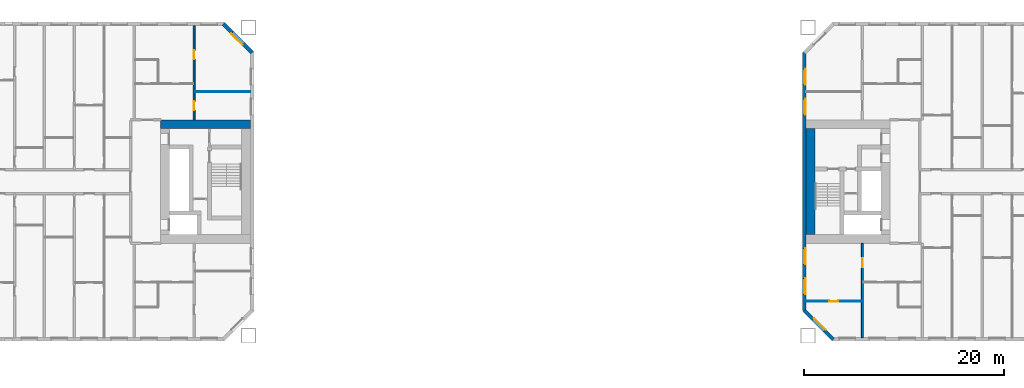
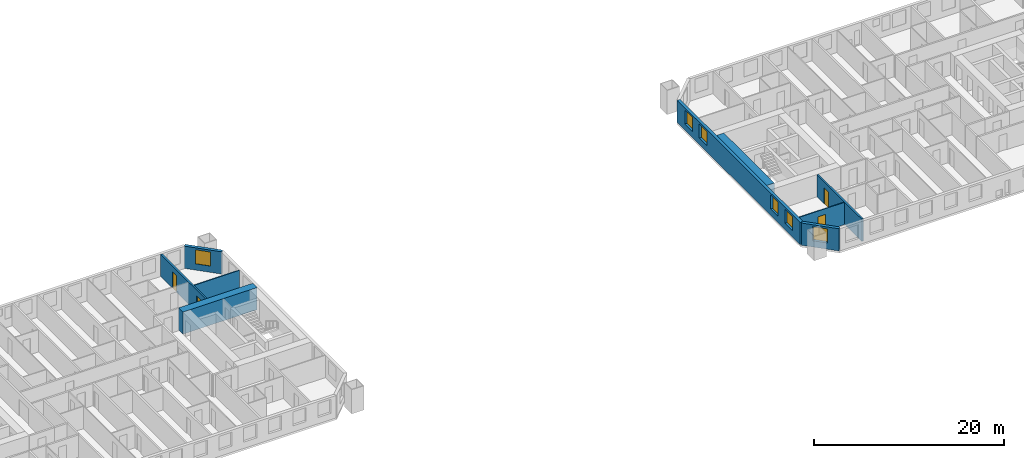
# One storey, part 8 of 16: 9 walls, 6 windows, 4 doors, 10 openings.
"""IFC4 building model written with IfcOpenShell, lengths in metres."""

from ifc_helpers import new_model, si_unit, direction, frame, frame_2d, origin, place, context, subcontext, project, spatial, rectangle, extrude, material, layer, layer_set, type_object, element, fill, save


model = new_model("IFC4")

# Units and contexts
model_context = context("Model", 3, precision=1e-05, world=origin(), true_north=direction((0.0, 1.0)))
body_context = subcontext(model_context, "Body", "Model", "MODEL_VIEW")
ifc_project = project(units=[si_unit("LENGTHUNIT", "METRE"), si_unit("AREAUNIT", "SQUARE_METRE"), si_unit("VOLUMEUNIT", "CUBIC_METRE"), si_unit("PLANEANGLEUNIT", "RADIAN"), si_unit("MASSUNIT", "GRAM", prefix="KILO")], contexts=[model_context])

# Site, building, storey
site_placement = place(None, origin())
site = spatial("IfcSite", under=ifc_project, at=site_placement, CompositionType="ELEMENT")
building_placement = place(site_placement, origin())
building = spatial("IfcBuilding", under=site, at=building_placement, Name="Tuart Gate Housing", CompositionType="ELEMENT")
storey_placement = place(building_placement, frame((0.0, 0.0, 35.0)))
storey = spatial("IfcBuildingStorey", under=building, at=storey_placement, Name="L09", CompositionType="ELEMENT", Elevation=35.0)

# Wall, opening, window
ifc_material_1 = material(Name="Brick", Category="masonry")
ifc_layer_1 = layer(ifc_material_1, 0.360107421875)
ifc_layer_set_1 = layer_set([ifc_layer_1], Name="Brick pier and spandrel wall 360")
wall_type_1 = type_object("IfcWallType", Name="Brick pier and spandrel wall 360", PredefinedType="STANDARD", material=ifc_layer_set_1)
wall_1_placement = place(storey_placement, frame((75.820068359375, 82.92529296875, 0.0), z_axis=(0.0, 0.0, 1.0), x_axis=(-0.707106781187, 0.707106781187, 0.0)))
wall_1 = element("IfcWall", 1, at=wall_1_placement, inside=storey, type_object=wall_type_1, Name="External wall A-NE L09", PredefinedType="STANDARD", context=body_context, shape_type="SweptSolid", body=[
    extrude(rectangle(XDim=4.09375, YDim=0.360107421875, at=frame_2d((2.046875, 0.0))), origin(), (0.0, 0.0, 1.0), 2.85009765625),
])
opening_1_placement = place(wall_1_placement, frame((1.2470703125, 0.0, 0.800048828125)))
opening_1 = element("IfcOpeningElement", 2, at=opening_1_placement, cuts=wall_1, Name="Opening W1", PredefinedType="OPENING", context=body_context, shape_type="SweptSolid", body=[
    extrude(rectangle(XDim=1.60009765625, YDim=1.800048828125, at=frame_2d((0.800048828125, 0.89990234375))), frame((0.0, 0.18994140625, 0.0), z_axis=(0.0, -1.0, 0.0), x_axis=(1.0, 0.0, 0.0)), (0.0, 0.0, 1.0), 0.380126953125),
])
ifc_material_2 = material(Name="Aluminium frame with clear glass", Category="aluminium")
window_type = type_object("IfcWindowType", Name="Punched window 1600 x 1800", PartitioningType="SINGLE_PANEL", PredefinedType="WINDOW", material=ifc_material_2)
window_1_placement = place(opening_1_placement, origin())
window_1 = element("IfcWindow", 3, at=window_1_placement, inside=storey, type_object=window_type, Name="Window W1", OverallHeight=1.800048828125, OverallWidth=1.60009765625, PartitioningType="SINGLE_PANEL", PredefinedType="WINDOW", context=body_context, shape_type="SweptSolid", body=[
    extrude(rectangle(XDim=1.60009765625, YDim=1.800048828125, at=frame_2d((0.800048828125, 0.89990234375))), frame((0.0, 0.150146484375, 0.0), z_axis=(0.0, -1.0, 0.0), x_axis=(1.0, 0.0, 0.0)), (0.0, 0.0, 1.0), 0.06005859375),
])
fill(opening_1, window_1)

wall_2_placement = place(storey_placement, frame((131.179931640625, 57.07470703125, 0.0), z_axis=(0.0, 0.0, 1.0), x_axis=(0.707106781187, -0.707106781187, 0.0)))
wall_2 = element("IfcWall", 4, at=wall_2_placement, inside=storey, type_object=wall_type_1, Name="External wall B-SW L09", PredefinedType="STANDARD", context=body_context, shape_type="SweptSolid", body=[
    extrude(rectangle(XDim=4.09375, YDim=0.360107421875, at=frame_2d((2.046875, 0.0))), origin(), (0.0, 0.0, 1.0), 2.85009765625),
])
opening_2_placement = place(wall_2_placement, frame((1.2470703125, 0.0, 0.800048828125)))
opening_2 = element("IfcOpeningElement", 5, at=opening_2_placement, cuts=wall_2, Name="Opening W1", PredefinedType="OPENING", context=body_context, shape_type="SweptSolid", body=[
    extrude(rectangle(XDim=1.60009765625, YDim=1.800048828125, at=frame_2d((0.800048828125, 0.89990234375))), frame((0.0, 0.18994140625, 0.0), z_axis=(0.0, -1.0, 0.0), x_axis=(1.0, 0.0, 0.0)), (0.0, 0.0, 1.0), 0.380126953125),
])
window_2_placement = place(opening_2_placement, origin())
window_2 = element("IfcWindow", 6, at=window_2_placement, inside=storey, type_object=window_type, Name="Window W1", OverallHeight=1.800048828125, OverallWidth=1.60009765625, PartitioningType="SINGLE_PANEL", PredefinedType="WINDOW", context=body_context, shape_type="SweptSolid", body=[
    extrude(rectangle(XDim=1.60009765625, YDim=1.800048828125, at=frame_2d((0.800048828125, 0.89990234375))), frame((0.0, 0.150146484375, 0.0), z_axis=(0.0, -1.0, 0.0), x_axis=(1.0, 0.0, 0.0)), (0.0, 0.0, 1.0), 0.06005859375),
])
fill(opening_2, window_2)

# Wall, openings, windows
wall_3_placement = place(storey_placement, frame((131.179931640625, 82.92529296875, 0.0), z_axis=(0.0, 0.0, 1.0), x_axis=(0.0, -1.0, 0.0)))
wall_3 = element("IfcWall", 7, at=wall_3_placement, inside=storey, type_object=wall_type_1, Name="External wall B-W L09", PredefinedType="STANDARD", context=body_context, shape_type="SweptSolid", body=[
    extrude(rectangle(XDim=25.850830078125, YDim=0.360107421875, at=frame_2d((12.92529296875, 0.0))), origin(), (0.0, 0.0, 1.0), 2.85009765625),
])
opening_3_placement = place(wall_3_placement, frame((1.62548828125, 0.0, 0.800048828125)))
opening_3 = element("IfcOpeningElement", 8, at=opening_3_placement, cuts=wall_3, Name="Opening W1", PredefinedType="OPENING", context=body_context, shape_type="SweptSolid", body=[
    extrude(rectangle(XDim=1.60009765625, YDim=1.800048828125, at=frame_2d((0.800048828125, 0.89990234375))), frame((0.0, 0.18994140625, 0.0), z_axis=(0.0, -1.0, 0.0), x_axis=(1.0, 0.0, 0.0)), (0.0, 0.0, 1.0), 0.380126953125),
])
opening_4_placement = place(wall_3_placement, frame((4.62548828125, 0.0, 0.800048828125)))
opening_4 = element("IfcOpeningElement", 9, at=opening_4_placement, cuts=wall_3, Name="Opening W1", PredefinedType="OPENING", context=body_context, shape_type="SweptSolid", body=[
    extrude(rectangle(XDim=1.60009765625, YDim=1.800048828125, at=frame_2d((0.800048828125, 0.89990234375))), frame((0.0, 0.18994140625, 0.0), z_axis=(0.0, -1.0, 0.0), x_axis=(1.0, 0.0, 0.0)), (0.0, 0.0, 1.0), 0.380126953125),
])
opening_5_placement = place(wall_3_placement, frame((19.62548828125, 0.0, 0.800048828125)))
opening_5 = element("IfcOpeningElement", 10, at=opening_5_placement, cuts=wall_3, Name="Opening W1", PredefinedType="OPENING", context=body_context, shape_type="SweptSolid", body=[
    extrude(rectangle(XDim=1.60009765625, YDim=1.800048828125, at=frame_2d((0.800048828125, 0.89990234375))), frame((0.0, 0.18994140625, 0.0), z_axis=(0.0, -1.0, 0.0), x_axis=(1.0, 0.0, 0.0)), (0.0, 0.0, 1.0), 0.380126953125),
])
opening_6_placement = place(wall_3_placement, frame((22.62548828125, 0.0, 0.800048828125)))
opening_6 = element("IfcOpeningElement", 11, at=opening_6_placement, cuts=wall_3, Name="Opening W1", PredefinedType="OPENING", context=body_context, shape_type="SweptSolid", body=[
    extrude(rectangle(XDim=1.60009765625, YDim=1.800048828125, at=frame_2d((0.800048828125, 0.89990234375))), frame((0.0, 0.18994140625, 0.0), z_axis=(0.0, -1.0, 0.0), x_axis=(1.0, 0.0, 0.0)), (0.0, 0.0, 1.0), 0.380126953125),
])
window_3_placement = place(opening_3_placement, origin())
window_3 = element("IfcWindow", 12, at=window_3_placement, inside=storey, type_object=window_type, Name="Window W1", OverallHeight=1.800048828125, OverallWidth=1.60009765625, PartitioningType="SINGLE_PANEL", PredefinedType="WINDOW", context=body_context, shape_type="SweptSolid", body=[
    extrude(rectangle(XDim=1.60009765625, YDim=1.800048828125, at=frame_2d((0.800048828125, 0.89990234375))), frame((0.0, 0.150146484375, 0.0), z_axis=(0.0, -1.0, 0.0), x_axis=(1.0, 0.0, 0.0)), (0.0, 0.0, 1.0), 0.06005859375),
])
fill(opening_3, window_3)
window_4_placement = place(opening_4_placement, origin())
window_4 = element("IfcWindow", 13, at=window_4_placement, inside=storey, type_object=window_type, Name="Window W1", OverallHeight=1.800048828125, OverallWidth=1.60009765625, PartitioningType="SINGLE_PANEL", PredefinedType="WINDOW", context=body_context, shape_type="SweptSolid", body=[
    extrude(rectangle(XDim=1.60009765625, YDim=1.800048828125, at=frame_2d((0.800048828125, 0.89990234375))), frame((0.0, 0.150146484375, 0.0), z_axis=(0.0, -1.0, 0.0), x_axis=(1.0, 0.0, 0.0)), (0.0, 0.0, 1.0), 0.06005859375),
])
fill(opening_4, window_4)
window_5_placement = place(opening_5_placement, origin())
window_5 = element("IfcWindow", 14, at=window_5_placement, inside=storey, type_object=window_type, Name="Window W1", OverallHeight=1.800048828125, OverallWidth=1.60009765625, PartitioningType="SINGLE_PANEL", PredefinedType="WINDOW", context=body_context, shape_type="SweptSolid", body=[
    extrude(rectangle(XDim=1.60009765625, YDim=1.800048828125, at=frame_2d((0.800048828125, 0.89990234375))), frame((0.0, 0.150146484375, 0.0), z_axis=(0.0, -1.0, 0.0), x_axis=(1.0, 0.0, 0.0)), (0.0, 0.0, 1.0), 0.06005859375),
])
fill(opening_5, window_5)
window_6_placement = place(opening_6_placement, origin())
window_6 = element("IfcWindow", 15, at=window_6_placement, inside=storey, type_object=window_type, Name="Window W1", OverallHeight=1.800048828125, OverallWidth=1.60009765625, PartitioningType="SINGLE_PANEL", PredefinedType="WINDOW", context=body_context, shape_type="SweptSolid", body=[
    extrude(rectangle(XDim=1.60009765625, YDim=1.800048828125, at=frame_2d((0.800048828125, 0.89990234375))), frame((0.0, 0.150146484375, 0.0), z_axis=(0.0, -1.0, 0.0), x_axis=(1.0, 0.0, 0.0)), (0.0, 0.0, 1.0), 0.06005859375),
])
fill(opening_6, window_6)

# Walls
ifc_material_3 = material(Name="Concrete C60", Category="concrete")
ifc_layer_2 = layer(ifc_material_3, 0.89990234375)
ifc_layer_set_2 = layer_set([ifc_layer_2], Name="Core wall 900 C60")
wall_type_2 = type_object("IfcWallType", Name="Core wall 900 C60", PredefinedType="SHEAR", material=ifc_layer_set_2)
wall_4_placement = place(storey_placement, frame((66.639892578125, 75.75, 0.0), z_axis=(0.0, 0.0, 1.0), x_axis=(1.0, 0.0, 0.0)))
element("IfcWall", 16, at=wall_4_placement, inside=storey, type_object=wall_type_2, Name="Core wall AG north", PredefinedType="SHEAR", context=body_context, shape_type="SweptSolid", body=[
    extrude(rectangle(XDim=9.0, YDim=0.89990234375, at=frame_2d((4.5, 0.0))), origin(), (0.0, 0.0, 1.0), 2.85009765625),
])
wall_5_placement = place(storey_placement, frame((131.81005859375, 64.699951171875, 0.0), z_axis=(0.0, 0.0, 1.0), x_axis=(0.0, 1.0, 0.0)))
element("IfcWall", 17, at=wall_5_placement, inside=storey, type_object=wall_type_2, Name="Core wall BG back", PredefinedType="SHEAR", context=body_context, shape_type="SweptSolid", body=[
    extrude(rectangle(XDim=10.60009765625, YDim=0.89990234375, at=frame_2d((5.300048828125, 0.0))), origin(), (0.0, 0.0, 1.0), 2.85009765625),
])

# Wall, opening, door
ifc_material_4 = material(Name="Gypsum board on steel studs", Category="steel")
ifc_layer_3 = layer(ifc_material_4, 0.10009765625)
ifc_layer_set_3 = layer_set([ifc_layer_3], Name="Partition 100")
wall_type_3 = type_object("IfcWallType", Name="Partition 100", PredefinedType="PARTITIONING", material=ifc_layer_set_3)
wall_6_placement = place(storey_placement, frame((131.360107421875, 58.0, 0.0), z_axis=(0.0, 0.0, 1.0), x_axis=(1.0, 0.0, 0.0)))
wall_6 = element("IfcWall", 18, at=wall_6_placement, inside=storey, type_object=wall_type_3, Name="Partition 100", PredefinedType="PARTITIONING", context=body_context, shape_type="SweptSolid", body=[
    extrude(rectangle(XDim=5.539794921875, YDim=0.10009765625, at=frame_2d((2.77001953125, 0.0))), origin(), (0.0, 0.0, 1.0), 2.85009765625),
])
opening_7_placement = place(wall_6_placement, frame((2.320068359375, 0.0, 0.0)))
opening_7 = element("IfcOpeningElement", 19, at=opening_7_placement, cuts=wall_6, Name="Opening D583", PredefinedType="OPENING", context=body_context, shape_type="SweptSolid", body=[
    extrude(rectangle(XDim=0.89990234375, YDim=2.10009765625, at=frame_2d((0.449951171875, 1.050048828125))), frame((0.0, 0.06005859375, 0.0), z_axis=(0.0, -1.0, 0.0), x_axis=(1.0, 0.0, 0.0)), (0.0, 0.0, 1.0), 0.1201171875),
])
ifc_material_5 = material(Name="Timber door leaf in steel frame", Category="steel")
door_type_1 = type_object("IfcDoorType", Name="Internal door 900 RH", OperationType="SINGLE_SWING_RIGHT", PredefinedType="DOOR", material=ifc_material_5)
door_1_placement = place(opening_7_placement, frame((0.89990234375, 0.0, 0.0), z_axis=(0.0, 0.0, 1.0), x_axis=(-1.0, 0.0, 0.0)))
door_1 = element("IfcDoor", 20, at=door_1_placement, inside=storey, type_object=door_type_1, Name="Internal door", OperationType="SINGLE_SWING_RIGHT", OverallHeight=2.10009765625, OverallWidth=0.89990234375, PredefinedType="DOOR", context=body_context, shape_type="SweptSolid", body=[
    extrude(rectangle(XDim=0.89990234375, YDim=2.10009765625, at=frame_2d((0.449951171875, 1.050048828125))), frame((0.0, 0.025146484375, 0.0), z_axis=(0.0, -1.0, 0.0), x_axis=(1.0, 0.0, 0.0)), (0.0, 0.0, 1.0), 0.050048828125),
])
fill(opening_7, door_1)

# Wall
wall_7_placement = place(storey_placement, frame((70.10009765625, 79.0, 0.0), z_axis=(0.0, 0.0, 1.0), x_axis=(1.0, 0.0, 0.0)))
element("IfcWall", 21, at=wall_7_placement, inside=storey, type_object=wall_type_3, Name="Partition 100", PredefinedType="PARTITIONING", context=body_context, shape_type="SweptSolid", body=[
    extrude(rectangle(XDim=5.539794921875, YDim=0.10009765625, at=frame_2d((2.77001953125, 0.0))), origin(), (0.0, 0.0, 1.0), 2.85009765625),
])

# Wall, openings, doors
ifc_material_6 = material(Name="Concrete C40", Category="concrete")
ifc_layer_4 = layer(ifc_material_6, 0.199951171875)
ifc_layer_set_4 = layer_set([ifc_layer_4], Name="Party wall concrete C40 200")
wall_type_4 = type_object("IfcWallType", Name="Party wall concrete C40 200", PredefinedType="SOLIDWALL", material=ifc_layer_set_4)
wall_8_placement = place(storey_placement, frame((70.0, 76.199951171875, 0.0), z_axis=(0.0, 0.0, 1.0), x_axis=(0.0, 1.0, 0.0)))
wall_8 = element("IfcWall", 22, at=wall_8_placement, inside=storey, type_object=wall_type_4, Name="Party wall concrete C40 200", PredefinedType="SOLIDWALL", context=body_context, shape_type="SweptSolid", body=[
    extrude(rectangle(XDim=9.43994140625, YDim=0.199951171875, at=frame_2d((4.719970703125, 0.0))), origin(), (0.0, 0.0, 1.0), 2.85009765625),
])
opening_8_placement = place(wall_8_placement, frame((6.070068359375, 0.0, 0.0)))
opening_8 = element("IfcOpeningElement", 23, at=opening_8_placement, cuts=wall_8, Name="Opening D471", PredefinedType="OPENING", context=body_context, shape_type="SweptSolid", body=[
    extrude(rectangle(XDim=0.89990234375, YDim=2.10009765625, at=frame_2d((0.449951171875, 1.050048828125))), frame((0.0, 0.10986328125, 0.0), z_axis=(0.0, -1.0, 0.0), x_axis=(1.0, 0.0, 0.0)), (0.0, 0.0, 1.0), 0.219970703125),
])
opening_9_placement = place(wall_8_placement, frame((0.949951171875, 0.0, 0.0)))
opening_9 = element("IfcOpeningElement", 24, at=opening_9_placement, cuts=wall_8, Name="Opening D472", PredefinedType="OPENING", context=body_context, shape_type="SweptSolid", body=[
    extrude(rectangle(XDim=0.89990234375, YDim=2.10009765625, at=frame_2d((0.449951171875, 1.050048828125))), frame((0.0, 0.10986328125, 0.0), z_axis=(0.0, -1.0, 0.0), x_axis=(1.0, 0.0, 0.0)), (0.0, 0.0, 1.0), 0.219970703125),
])
ifc_material_7 = material(Name="Timber door leaf in steel frame", Category="steel")
door_type_2 = type_object("IfcDoorType", Name="Internal door 900", OperationType="SINGLE_SWING_LEFT", PredefinedType="DOOR", material=ifc_material_7)
door_2_placement = place(opening_8_placement, frame((0.89990234375, 0.0, 0.0), z_axis=(0.0, 0.0, 1.0), x_axis=(-1.0, 0.0, 0.0)))
door_2 = element("IfcDoor", 25, at=door_2_placement, inside=storey, type_object=door_type_2, Name="Internal door", OperationType="SINGLE_SWING_LEFT", OverallHeight=2.10009765625, OverallWidth=0.89990234375, PredefinedType="DOOR", context=body_context, shape_type="SweptSolid", body=[
    extrude(rectangle(XDim=0.89990234375, YDim=2.10009765625, at=frame_2d((0.449951171875, 1.050048828125))), frame((0.0, 0.025146484375, 0.0), z_axis=(0.0, -1.0, 0.0), x_axis=(1.0, 0.0, 0.0)), (0.0, 0.0, 1.0), 0.050048828125),
])
fill(opening_8, door_2)
door_3_placement = place(opening_9_placement, frame((0.89990234375, 0.0, 0.0), z_axis=(0.0, 0.0, 1.0), x_axis=(-1.0, 0.0, 0.0)))
door_3 = element("IfcDoor", 26, at=door_3_placement, inside=storey, type_object=door_type_1, Name="Internal door", OperationType="SINGLE_SWING_RIGHT", OverallHeight=2.10009765625, OverallWidth=0.89990234375, PredefinedType="DOOR", context=body_context, shape_type="SweptSolid", body=[
    extrude(rectangle(XDim=0.89990234375, YDim=2.10009765625, at=frame_2d((0.449951171875, 1.050048828125))), frame((0.0, 0.025146484375, 0.0), z_axis=(0.0, -1.0, 0.0), x_axis=(1.0, 0.0, 0.0)), (0.0, 0.0, 1.0), 0.050048828125),
])
fill(opening_9, door_3)

# Wall, opening, door
wall_9_placement = place(storey_placement, frame((137.0, 54.360107421875, 0.0), z_axis=(0.0, 0.0, 1.0), x_axis=(0.0, 1.0, 0.0)))
wall_9 = element("IfcWall", 27, at=wall_9_placement, inside=storey, type_object=wall_type_4, Name="Party wall concrete C40 200", PredefinedType="SOLIDWALL", context=body_context, shape_type="SweptSolid", body=[
    extrude(rectangle(XDim=9.43994140625, YDim=0.199951171875, at=frame_2d((4.719970703125, 0.0))), origin(), (0.0, 0.0, 1.0), 2.85009765625),
])
opening_10_placement = place(wall_9_placement, frame((7.0400390625, 0.0, 0.0)))
opening_10 = element("IfcOpeningElement", 28, at=opening_10_placement, cuts=wall_9, Name="Opening D582", PredefinedType="OPENING", context=body_context, shape_type="SweptSolid", body=[
    extrude(rectangle(XDim=0.89990234375, YDim=2.10009765625, at=frame_2d((0.449951171875, 1.050048828125))), frame((0.0, 0.10986328125, 0.0), z_axis=(0.0, -1.0, 0.0), x_axis=(1.0, 0.0, 0.0)), (0.0, 0.0, 1.0), 0.219970703125),
])
door_4_placement = place(opening_10_placement, frame((0.89990234375, 0.0, 0.0), z_axis=(0.0, 0.0, 1.0), x_axis=(-1.0, 0.0, 0.0)))
door_4 = element("IfcDoor", 29, at=door_4_placement, inside=storey, type_object=door_type_1, Name="Internal door", OperationType="SINGLE_SWING_RIGHT", OverallHeight=2.10009765625, OverallWidth=0.89990234375, PredefinedType="DOOR", context=body_context, shape_type="SweptSolid", body=[
    extrude(rectangle(XDim=0.89990234375, YDim=2.10009765625, at=frame_2d((0.449951171875, 1.050048828125))), frame((0.0, 0.025146484375, 0.0), z_axis=(0.0, -1.0, 0.0), x_axis=(1.0, 0.0, 0.0)), (0.0, 0.0, 1.0), 0.050048828125),
])
fill(opening_10, door_4)

save(model, "model.ifc")
